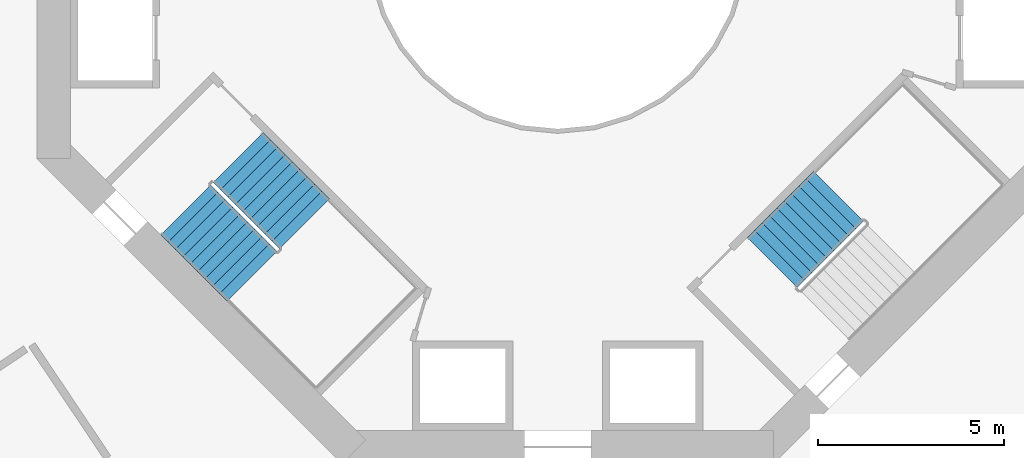
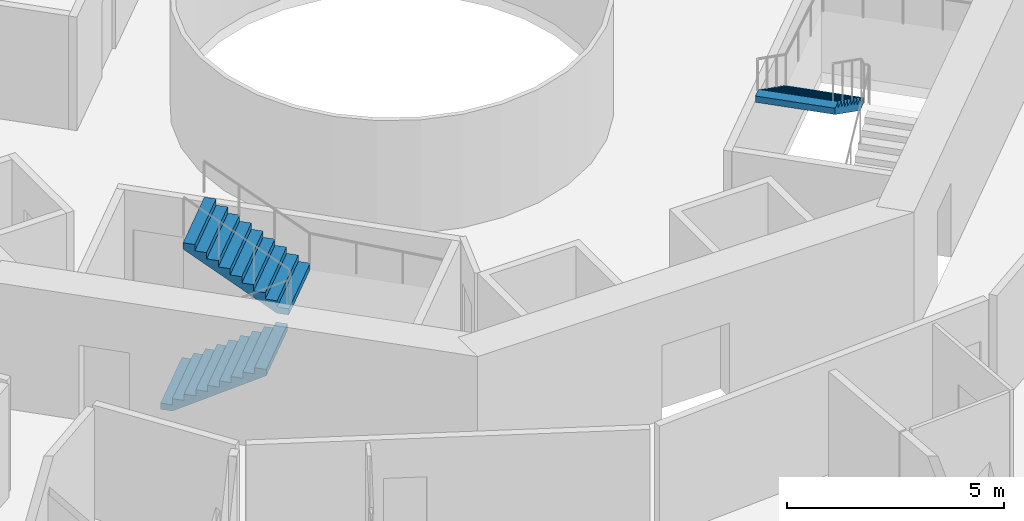
# One storey, part 23 of 25: 3 stair flights, 2 elements without a shape of their own.
"""IFC4 building model written with IfcOpenShell, lengths in metres."""

from ifc_helpers import new_model, si_unit, direction, frame, origin, place, context, subcontext, project, spatial, triangles, material, type_object, element, aggregate, save


model = new_model("IFC4")

# Units and contexts
model_context = context("Model", 3, precision=1e-05, world=origin(), true_north=direction((0.0, 1.0)))
body_context = subcontext(model_context, "Body", "Model", "MODEL_VIEW")
ifc_project = project(units=[si_unit("LENGTHUNIT", "METRE"), si_unit("AREAUNIT", "SQUARE_METRE"), si_unit("VOLUMEUNIT", "CUBIC_METRE"), si_unit("PLANEANGLEUNIT", "RADIAN"), si_unit("MASSUNIT", "GRAM", prefix="KILO")], contexts=[model_context])

# Site, building, storey
site_placement = place(None, origin())
site = spatial("IfcSite", under=ifc_project, at=site_placement, CompositionType="ELEMENT")
building_placement = place(site_placement, origin())
building = spatial("IfcBuilding", under=site, at=building_placement, Name="Verdalira Terraces Hotel", CompositionType="ELEMENT")
storey_placement = place(building_placement, frame((0.0, 0.0, 49.5)))
storey = spatial("IfcBuildingStorey", under=building, at=storey_placement, Name="L10", CompositionType="ELEMENT", Elevation=49.5)

# Stair, stair flights
ifc_material_1 = material(Name="Concrete C40", Category="concrete")
stair_type = type_object("IfcStairType", Name="Core stair 20 risers 1900 mm wide", PredefinedType="HALF_TURN_STAIR", material=ifc_material_1)
stair_1_placement = place(storey_placement, origin())
stair_1 = element("IfcStair", 1, at=stair_1_placement, inside=storey, type_object=stair_type, Name="L10 Exit stair ST2", PredefinedType="HALF_TURN_STAIR")
ifc_material_2 = material(Name="Concrete C40", Category="concrete")
stair_flight_type = type_object("IfcStairFlightType", Name="Core stair flight 20 risers 1900 mm wide", PredefinedType="STRAIGHT", material=ifc_material_2)
stair_flight_1_placement = place(storey_placement, frame((-10.005615, -7.177246, 0.0), z_axis=(0.0, 0.0, 1.0), x_axis=(0.707106781, -0.707106781, 0.0)))
stair_flight_1 = element("IfcStairFlight", 2, at=stair_flight_1_placement, type_object=stair_flight_type, Name="ST2 flight 1", NumberOfRisers=10, NumberOfTreads=9, PredefinedType="STRAIGHT", RiserHeight=0.175, TreadLength=0.28, context=body_context, shape_type="Tessellation", body=[
    triangles([(0.0, 0.949951, 0.0), (0.282715, 0.949951, 0.0), (2.52002, 0.949951, 1.398193), (0.0, -0.949951, 0.0), (0.282715, -0.949951, 0.0), (2.52002, -0.949951, 1.398193), (2.52002, 0.949951, 1.574951), (2.23999, 0.949951, 1.574951), (2.52002, -0.949951, 1.574951), (2.23999, -0.949951, 1.574951), (2.23999, 0.949951, 1.399902), (2.23999, -0.949951, 1.399902), (1.959961, 0.949951, 1.399902), (1.959961, -0.949951, 1.399902), (1.959961, 0.949951, 1.225098), (1.959961, -0.949951, 1.225098), (1.679932, 0.949951, 1.225098), (1.679932, 0.949951, 1.050049), (1.679932, -0.949951, 1.225098), (1.679932, -0.949951, 1.050049), (1.399902, 0.949951, 1.050049), (1.399902, 0.949951, 0.875), (1.399902, -0.949951, 1.050049), (1.399902, -0.949951, 0.875), (1.120117, 0.949951, 0.875), (1.120117, 0.949951, 0.699951), (1.120117, -0.949951, 0.875), (1.120117, -0.949951, 0.699951), (0.840088, 0.949951, 0.699951), (0.840088, 0.949951, 0.524902), (0.840088, -0.949951, 0.699951), (0.840088, -0.949951, 0.524902), (0.560059, 0.949951, 0.524902), (0.560059, 0.949951, 0.350098), (0.560059, -0.949951, 0.524902), (0.560059, -0.949951, 0.350098), (0.280029, 0.949951, 0.350098), (0.280029, 0.949951, 0.175049), (0.280029, -0.949951, 0.350098), (0.280029, -0.949951, 0.175049), (0.0, 0.949951, 0.175049), (0.0, -0.949951, 0.175049), (0.0, -0.890579, 0.0), (0.0, -0.890579, 0.175049), (0.0, -0.831207, 0.0), (0.0, -0.831207, 0.175049), (0.0, -0.771835, 0.0), (0.0, -0.771835, 0.175049), (0.0, -0.712463, 0.0), (0.0, -0.712463, 0.175049), (0.0, -0.653091, 0.0), (0.0, -0.653091, 0.175049), (0.0, -0.593719, 0.0), (0.0, -0.593719, 0.175049), (0.0, -0.534348, 0.0), (0.0, -0.534348, 0.175049), (0.0, -0.474976, 0.0), (0.0, -0.474976, 0.175049), (0.0, -0.415604, 0.0), (0.0, -0.415604, 0.175049), (0.0, -0.356232, 0.0), (0.0, -0.356232, 0.175049), (0.0, -0.29686, 0.0), (0.0, -0.29686, 0.175049), (0.0, -0.237488, 0.0), (0.0, -0.237488, 0.175049), (0.0, -0.178116, 0.0), (0.0, -0.178116, 0.175049), (0.0, -0.118744, 0.0), (0.0, -0.118744, 0.175049), (0.0, -0.059372, 0.0), (0.0, -0.059372, 0.175049), (0.0, 0.0, 0.0), (0.0, 0.0, 0.175049), (0.0, 0.059372, 0.0), (0.0, 0.059372, 0.175049), (0.0, 0.118744, 0.0), (0.0, 0.118744, 0.175049), (0.0, 0.178116, 0.0), (0.0, 0.178116, 0.175049), (0.0, 0.237488, 0.0), (0.0, 0.237488, 0.175049), (0.0, 0.29686, 0.0), (0.0, 0.29686, 0.175049), (0.0, 0.356232, 0.0), (0.0, 0.356232, 0.175049), (0.0, 0.415604, 0.0), (0.0, 0.415604, 0.175049), (0.0, 0.474976, 0.0), (0.0, 0.474976, 0.175049), (0.0, 0.534348, 0.0), (0.0, 0.534348, 0.175049), (0.0, 0.593719, 0.0), (0.0, 0.593719, 0.175049), (0.0, 0.653091, 0.0), (0.0, 0.653091, 0.175049), (0.0, 0.712463, 0.0), (0.0, 0.712463, 0.175049), (0.0, 0.771835, 0.0), (0.0, 0.771835, 0.175049), (0.0, 0.831207, 0.0), (0.0, 0.831207, 0.175049), (0.0, 0.890579, 0.0), (0.0, 0.890579, 0.175049), (2.52002, -0.890579, 1.574951), (2.52002, -0.831207, 1.574951), (2.52002, -0.771835, 1.574951), (2.52002, -0.712463, 1.574951), (2.52002, -0.653091, 1.574951), (2.52002, -0.593719, 1.574951), (2.52002, -0.534348, 1.574951), (2.52002, -0.474976, 1.574951), (2.52002, -0.415604, 1.574951), (2.52002, -0.356232, 1.574951), (2.52002, -0.29686, 1.574951), (2.52002, -0.237488, 1.574951), (2.52002, -0.178116, 1.574951), (2.52002, -0.118744, 1.574951), (2.52002, -0.059372, 1.574951), (2.52002, 0.0, 1.574951), (2.52002, 0.059372, 1.574951), (2.52002, 0.118744, 1.574951), (2.52002, 0.178116, 1.574951), (2.52002, 0.237488, 1.574951), (2.52002, 0.29686, 1.574951), (2.52002, 0.356232, 1.574951), (2.52002, 0.415604, 1.574951), (2.52002, 0.474976, 1.574951), (2.52002, 0.534348, 1.574951), (2.52002, 0.593719, 1.574951), (2.52002, 0.653091, 1.574951), (2.52002, 0.712463, 1.574951), (2.52002, 0.771835, 1.574951), (2.52002, 0.831207, 1.574951), (2.52002, 0.890579, 1.574951), (2.52002, -0.890579, 1.398193), (2.52002, -0.831207, 1.398193), (2.52002, -0.771835, 1.398193), (2.52002, -0.712463, 1.398193), (2.52002, -0.653091, 1.398193), (2.52002, -0.593719, 1.398193), (2.52002, -0.534348, 1.398193), (2.52002, -0.474976, 1.398193), (2.52002, -0.415604, 1.398193), (2.52002, -0.356232, 1.398193), (2.52002, -0.29686, 1.398193), (2.52002, -0.237488, 1.398193), (2.52002, -0.178116, 1.398193), (2.52002, -0.118744, 1.398193), (2.52002, -0.059372, 1.398193), (2.52002, 0.0, 1.398193), (2.52002, 0.059372, 1.398193), (2.52002, 0.118744, 1.398193), (2.52002, 0.178116, 1.398193), (2.52002, 0.237488, 1.398193), (2.52002, 0.29686, 1.398193), (2.52002, 0.356232, 1.398193), (2.52002, 0.415604, 1.398193), (2.52002, 0.474976, 1.398193), (2.52002, 0.534348, 1.398193), (2.52002, 0.593719, 1.398193), (2.52002, 0.653091, 1.398193), (2.52002, 0.712463, 1.398193), (2.52002, 0.771835, 1.398193), (2.52002, 0.831207, 1.398193), (2.52002, 0.890579, 1.398193)], [[1, 3, 2], [4, 5, 6], [3, 8, 7], [6, 9, 10], [3, 11, 8], [6, 10, 12], [3, 13, 11], [6, 12, 14], [3, 15, 13], [6, 14, 16], [15, 18, 17], [16, 19, 20], [3, 18, 15], [6, 16, 20], [18, 22, 21], [20, 23, 24], [3, 22, 18], [6, 20, 24], [22, 26, 25], [24, 27, 28], [3, 26, 22], [6, 24, 28], [26, 30, 29], [28, 31, 32], [3, 30, 26], [6, 28, 32], [1, 30, 3], [4, 6, 32], [30, 34, 33], [32, 35, 36], [34, 38, 37], [36, 39, 40], [30, 38, 34], [32, 36, 40], [1, 38, 30], [4, 32, 40], [38, 1, 41], [40, 42, 4], [4, 44, 43], [4, 42, 44], [43, 46, 45], [43, 44, 46], [45, 48, 47], [45, 46, 48], [47, 50, 49], [47, 48, 50], [49, 52, 51], [49, 50, 52], [51, 54, 53], [51, 52, 54], [53, 56, 55], [53, 54, 56], [55, 58, 57], [55, 56, 58], [57, 60, 59], [57, 58, 60], [59, 62, 61], [59, 60, 62], [61, 64, 63], [61, 62, 64], [63, 66, 65], [63, 64, 66], [65, 68, 67], [65, 66, 68], [67, 70, 69], [67, 68, 70], [69, 72, 71], [69, 70, 72], [71, 74, 73], [71, 72, 74], [73, 76, 75], [73, 74, 76], [75, 78, 77], [75, 76, 78], [77, 80, 79], [77, 78, 80], [79, 82, 81], [79, 80, 82], [81, 84, 83], [81, 82, 84], [83, 86, 85], [83, 84, 86], [85, 88, 87], [85, 86, 88], [87, 90, 89], [87, 88, 90], [89, 92, 91], [89, 90, 92], [91, 94, 93], [91, 92, 94], [93, 96, 95], [93, 94, 96], [95, 98, 97], [95, 96, 98], [97, 100, 99], [97, 98, 100], [99, 102, 101], [99, 100, 102], [101, 104, 103], [101, 102, 104], [103, 41, 1], [103, 104, 41], [42, 40, 44], [44, 40, 46], [46, 40, 48], [48, 40, 50], [50, 40, 52], [52, 40, 54], [54, 40, 56], [56, 40, 58], [58, 40, 60], [60, 40, 62], [62, 40, 64], [64, 40, 66], [66, 40, 68], [68, 40, 70], [70, 40, 72], [72, 40, 74], [74, 40, 76], [76, 40, 78], [78, 40, 80], [80, 40, 82], [82, 40, 84], [84, 40, 86], [86, 40, 88], [88, 40, 90], [90, 40, 92], [92, 40, 94], [94, 40, 96], [96, 40, 98], [98, 40, 100], [100, 40, 102], [102, 40, 104], [104, 40, 41], [41, 40, 38], [40, 37, 38], [40, 39, 37], [39, 34, 37], [39, 36, 34], [36, 33, 34], [36, 35, 33], [35, 30, 33], [35, 32, 30], [32, 29, 30], [32, 31, 29], [31, 26, 29], [31, 28, 26], [28, 25, 26], [28, 27, 25], [27, 22, 25], [27, 24, 22], [24, 21, 22], [24, 23, 21], [23, 18, 21], [23, 20, 18], [20, 17, 18], [20, 19, 17], [19, 15, 17], [19, 16, 15], [16, 13, 15], [16, 14, 13], [14, 11, 13], [14, 12, 11], [12, 8, 11], [12, 10, 8], [9, 105, 10], [105, 106, 10], [106, 107, 10], [107, 108, 10], [108, 109, 10], [109, 110, 10], [110, 111, 10], [111, 112, 10], [112, 113, 10], [113, 114, 10], [114, 115, 10], [115, 116, 10], [116, 117, 10], [117, 118, 10], [118, 119, 10], [119, 120, 10], [120, 121, 10], [121, 122, 10], [122, 123, 10], [123, 124, 10], [124, 125, 10], [125, 126, 10], [126, 127, 10], [127, 128, 10], [128, 129, 10], [129, 130, 10], [130, 131, 10], [131, 132, 10], [132, 133, 10], [133, 134, 10], [134, 135, 10], [135, 7, 10], [7, 8, 10], [9, 136, 105], [9, 6, 136], [105, 137, 106], [105, 136, 137], [106, 138, 107], [106, 137, 138], [107, 139, 108], [107, 138, 139], [108, 140, 109], [108, 139, 140], [109, 141, 110], [109, 140, 141], [110, 142, 111], [110, 141, 142], [111, 143, 112], [111, 142, 143], [112, 144, 113], [112, 143, 144], [113, 145, 114], [113, 144, 145], [114, 146, 115], [114, 145, 146], [115, 147, 116], [115, 146, 147], [116, 148, 117], [116, 147, 148], [117, 149, 118], [117, 148, 149], [118, 150, 119], [118, 149, 150], [119, 151, 120], [119, 150, 151], [120, 152, 121], [120, 151, 152], [121, 153, 122], [121, 152, 153], [122, 154, 123], [122, 153, 154], [123, 155, 124], [123, 154, 155], [124, 156, 125], [124, 155, 156], [125, 157, 126], [125, 156, 157], [126, 158, 127], [126, 157, 158], [127, 159, 128], [127, 158, 159], [128, 160, 129], [128, 159, 160], [129, 161, 130], [129, 160, 161], [130, 162, 131], [130, 161, 162], [131, 163, 132], [131, 162, 163], [132, 164, 133], [132, 163, 164], [133, 165, 134], [133, 164, 165], [134, 166, 135], [134, 165, 166], [135, 3, 7], [135, 166, 3], [6, 5, 136], [136, 5, 137], [137, 5, 138], [138, 5, 139], [139, 5, 140], [140, 5, 141], [141, 5, 142], [142, 5, 143], [143, 5, 144], [144, 5, 145], [145, 5, 146], [146, 5, 147], [147, 5, 148], [148, 5, 149], [149, 5, 150], [150, 5, 151], [151, 5, 152], [152, 5, 153], [153, 5, 154], [154, 5, 155], [155, 5, 156], [156, 5, 157], [157, 5, 158], [158, 5, 159], [159, 5, 160], [160, 5, 161], [161, 5, 162], [162, 5, 163], [163, 5, 164], [164, 5, 165], [165, 5, 166], [166, 5, 3], [3, 5, 2], [4, 43, 5], [43, 45, 5], [45, 47, 5], [47, 49, 5], [49, 51, 5], [51, 53, 5], [53, 55, 5], [55, 57, 5], [57, 59, 5], [59, 61, 5], [61, 63, 5], [63, 65, 5], [65, 67, 5], [67, 69, 5], [69, 71, 5], [71, 73, 5], [73, 75, 5], [75, 77, 5], [77, 79, 5], [79, 81, 5], [81, 83, 5], [83, 85, 5], [85, 87, 5], [87, 89, 5], [89, 91, 5], [91, 93, 5], [93, 95, 5], [95, 97, 5], [97, 99, 5], [99, 101, 5], [101, 103, 5], [103, 1, 5], [1, 2, 5]], closed=True),
])
stair_flight_2_placement = place(storey_placement, frame((-6.809326, -7.544922, 1.75), z_axis=(0.0, 0.0, 1.0), x_axis=(-0.707106781, 0.707106781, 0.0)))
stair_flight_2 = element("IfcStairFlight", 3, at=stair_flight_2_placement, type_object=stair_flight_type, Name="ST2 flight 2", NumberOfRisers=10, NumberOfTreads=9, PredefinedType="STRAIGHT", RiserHeight=0.175, TreadLength=0.28, context=body_context, shape_type="Tessellation", body=[
    triangles([(0.0, 0.949951, 0.0), (0.282715, 0.949951, 0.0), (2.52002, 0.949951, 1.398193), (0.0, -0.949951, 0.0), (0.282715, -0.949951, 0.0), (2.52002, -0.949951, 1.398193), (2.52002, 0.949951, 1.574951), (2.23999, 0.949951, 1.574951), (2.52002, -0.949951, 1.574951), (2.23999, -0.949951, 1.574951), (2.23999, 0.949951, 1.399902), (2.23999, -0.949951, 1.399902), (1.959961, 0.949951, 1.399902), (1.959961, -0.949951, 1.399902), (1.959961, 0.949951, 1.225098), (1.959961, -0.949951, 1.225098), (1.679932, 0.949951, 1.225098), (1.679932, 0.949951, 1.050049), (1.679932, -0.949951, 1.225098), (1.679932, -0.949951, 1.050049), (1.399902, 0.949951, 1.050049), (1.399902, 0.949951, 0.875), (1.399902, -0.949951, 1.050049), (1.399902, -0.949951, 0.875), (1.120117, 0.949951, 0.875), (1.120117, 0.949951, 0.699951), (1.120117, -0.949951, 0.875), (1.120117, -0.949951, 0.699951), (0.840088, 0.949951, 0.699951), (0.840088, 0.949951, 0.524902), (0.840088, -0.949951, 0.699951), (0.840088, -0.949951, 0.524902), (0.560059, 0.949951, 0.524902), (0.560059, 0.949951, 0.350098), (0.560059, -0.949951, 0.524902), (0.560059, -0.949951, 0.350098), (0.280029, 0.949951, 0.350098), (0.280029, 0.949951, 0.175049), (0.280029, -0.949951, 0.350098), (0.280029, -0.949951, 0.175049), (0.0, 0.949951, 0.175049), (0.0, -0.949951, 0.175049), (0.0, -0.890579, 0.0), (0.0, -0.890579, 0.175049), (0.0, -0.831207, 0.0), (0.0, -0.831207, 0.175049), (0.0, -0.771835, 0.0), (0.0, -0.771835, 0.175049), (0.0, -0.712463, 0.0), (0.0, -0.712463, 0.175049), (0.0, -0.653091, 0.0), (0.0, -0.653091, 0.175049), (0.0, -0.593719, 0.0), (0.0, -0.593719, 0.175049), (0.0, -0.534348, 0.0), (0.0, -0.534348, 0.175049), (0.0, -0.474976, 0.0), (0.0, -0.474976, 0.175049), (0.0, -0.415604, 0.0), (0.0, -0.415604, 0.175049), (0.0, -0.356232, 0.0), (0.0, -0.356232, 0.175049), (0.0, -0.29686, 0.0), (0.0, -0.29686, 0.175049), (0.0, -0.237488, 0.0), (0.0, -0.237488, 0.175049), (0.0, -0.178116, 0.0), (0.0, -0.178116, 0.175049), (0.0, -0.118744, 0.0), (0.0, -0.118744, 0.175049), (0.0, -0.059372, 0.0), (0.0, -0.059372, 0.175049), (0.0, 0.0, 0.0), (0.0, 0.0, 0.175049), (0.0, 0.059372, 0.0), (0.0, 0.059372, 0.175049), (0.0, 0.118744, 0.0), (0.0, 0.118744, 0.175049), (0.0, 0.178116, 0.0), (0.0, 0.178116, 0.175049), (0.0, 0.237488, 0.0), (0.0, 0.237488, 0.175049), (0.0, 0.29686, 0.0), (0.0, 0.29686, 0.175049), (0.0, 0.356232, 0.0), (0.0, 0.356232, 0.175049), (0.0, 0.415604, 0.0), (0.0, 0.415604, 0.175049), (0.0, 0.474976, 0.0), (0.0, 0.474976, 0.175049), (0.0, 0.534348, 0.0), (0.0, 0.534348, 0.175049), (0.0, 0.593719, 0.0), (0.0, 0.593719, 0.175049), (0.0, 0.653091, 0.0), (0.0, 0.653091, 0.175049), (0.0, 0.712463, 0.0), (0.0, 0.712463, 0.175049), (0.0, 0.771835, 0.0), (0.0, 0.771835, 0.175049), (0.0, 0.831207, 0.0), (0.0, 0.831207, 0.175049), (0.0, 0.890579, 0.0), (0.0, 0.890579, 0.175049), (2.52002, -0.890579, 1.574951), (2.52002, -0.831207, 1.574951), (2.52002, -0.771835, 1.574951), (2.52002, -0.712463, 1.574951), (2.52002, -0.653091, 1.574951), (2.52002, -0.593719, 1.574951), (2.52002, -0.534348, 1.574951), (2.52002, -0.474976, 1.574951), (2.52002, -0.415604, 1.574951), (2.52002, -0.356232, 1.574951), (2.52002, -0.29686, 1.574951), (2.52002, -0.237488, 1.574951), (2.52002, -0.178116, 1.574951), (2.52002, -0.118744, 1.574951), (2.52002, -0.059372, 1.574951), (2.52002, 0.0, 1.574951), (2.52002, 0.059372, 1.574951), (2.52002, 0.118744, 1.574951), (2.52002, 0.178116, 1.574951), (2.52002, 0.237488, 1.574951), (2.52002, 0.29686, 1.574951), (2.52002, 0.356232, 1.574951), (2.52002, 0.415604, 1.574951), (2.52002, 0.474976, 1.574951), (2.52002, 0.534348, 1.574951), (2.52002, 0.593719, 1.574951), (2.52002, 0.653091, 1.574951), (2.52002, 0.712463, 1.574951), (2.52002, 0.771835, 1.574951), (2.52002, 0.831207, 1.574951), (2.52002, 0.890579, 1.574951), (2.52002, -0.890579, 1.398193), (2.52002, -0.831207, 1.398193), (2.52002, -0.771835, 1.398193), (2.52002, -0.712463, 1.398193), (2.52002, -0.653091, 1.398193), (2.52002, -0.593719, 1.398193), (2.52002, -0.534348, 1.398193), (2.52002, -0.474976, 1.398193), (2.52002, -0.415604, 1.398193), (2.52002, -0.356232, 1.398193), (2.52002, -0.29686, 1.398193), (2.52002, -0.237488, 1.398193), (2.52002, -0.178116, 1.398193), (2.52002, -0.118744, 1.398193), (2.52002, -0.059372, 1.398193), (2.52002, 0.0, 1.398193), (2.52002, 0.059372, 1.398193), (2.52002, 0.118744, 1.398193), (2.52002, 0.178116, 1.398193), (2.52002, 0.237488, 1.398193), (2.52002, 0.29686, 1.398193), (2.52002, 0.356232, 1.398193), (2.52002, 0.415604, 1.398193), (2.52002, 0.474976, 1.398193), (2.52002, 0.534348, 1.398193), (2.52002, 0.593719, 1.398193), (2.52002, 0.653091, 1.398193), (2.52002, 0.712463, 1.398193), (2.52002, 0.771835, 1.398193), (2.52002, 0.831207, 1.398193), (2.52002, 0.890579, 1.398193)], [[1, 3, 2], [4, 5, 6], [3, 8, 7], [6, 9, 10], [3, 11, 8], [6, 10, 12], [3, 13, 11], [6, 12, 14], [3, 15, 13], [6, 14, 16], [15, 18, 17], [16, 19, 20], [3, 18, 15], [6, 16, 20], [18, 22, 21], [20, 23, 24], [3, 22, 18], [6, 20, 24], [22, 26, 25], [24, 27, 28], [3, 26, 22], [6, 24, 28], [26, 30, 29], [28, 31, 32], [3, 30, 26], [6, 28, 32], [1, 30, 3], [4, 6, 32], [30, 34, 33], [32, 35, 36], [34, 38, 37], [36, 39, 40], [30, 38, 34], [32, 36, 40], [1, 38, 30], [4, 32, 40], [38, 1, 41], [40, 42, 4], [4, 44, 43], [4, 42, 44], [43, 46, 45], [43, 44, 46], [45, 48, 47], [45, 46, 48], [47, 50, 49], [47, 48, 50], [49, 52, 51], [49, 50, 52], [51, 54, 53], [51, 52, 54], [53, 56, 55], [53, 54, 56], [55, 58, 57], [55, 56, 58], [57, 60, 59], [57, 58, 60], [59, 62, 61], [59, 60, 62], [61, 64, 63], [61, 62, 64], [63, 66, 65], [63, 64, 66], [65, 68, 67], [65, 66, 68], [67, 70, 69], [67, 68, 70], [69, 72, 71], [69, 70, 72], [71, 74, 73], [71, 72, 74], [73, 76, 75], [73, 74, 76], [75, 78, 77], [75, 76, 78], [77, 80, 79], [77, 78, 80], [79, 82, 81], [79, 80, 82], [81, 84, 83], [81, 82, 84], [83, 86, 85], [83, 84, 86], [85, 88, 87], [85, 86, 88], [87, 90, 89], [87, 88, 90], [89, 92, 91], [89, 90, 92], [91, 94, 93], [91, 92, 94], [93, 96, 95], [93, 94, 96], [95, 98, 97], [95, 96, 98], [97, 100, 99], [97, 98, 100], [99, 102, 101], [99, 100, 102], [101, 104, 103], [101, 102, 104], [103, 41, 1], [103, 104, 41], [42, 40, 44], [44, 40, 46], [46, 40, 48], [48, 40, 50], [50, 40, 52], [52, 40, 54], [54, 40, 56], [56, 40, 58], [58, 40, 60], [60, 40, 62], [62, 40, 64], [64, 40, 66], [66, 40, 68], [68, 40, 70], [70, 40, 72], [72, 40, 74], [74, 40, 76], [76, 40, 78], [78, 40, 80], [80, 40, 82], [82, 40, 84], [84, 40, 86], [86, 40, 88], [88, 40, 90], [90, 40, 92], [92, 40, 94], [94, 40, 96], [96, 40, 98], [98, 40, 100], [100, 40, 102], [102, 40, 104], [104, 40, 41], [41, 40, 38], [40, 37, 38], [40, 39, 37], [39, 34, 37], [39, 36, 34], [36, 33, 34], [36, 35, 33], [35, 30, 33], [35, 32, 30], [32, 29, 30], [32, 31, 29], [31, 26, 29], [31, 28, 26], [28, 25, 26], [28, 27, 25], [27, 22, 25], [27, 24, 22], [24, 21, 22], [24, 23, 21], [23, 18, 21], [23, 20, 18], [20, 17, 18], [20, 19, 17], [19, 15, 17], [19, 16, 15], [16, 13, 15], [16, 14, 13], [14, 11, 13], [14, 12, 11], [12, 8, 11], [12, 10, 8], [9, 105, 10], [105, 106, 10], [106, 107, 10], [107, 108, 10], [108, 109, 10], [109, 110, 10], [110, 111, 10], [111, 112, 10], [112, 113, 10], [113, 114, 10], [114, 115, 10], [115, 116, 10], [116, 117, 10], [117, 118, 10], [118, 119, 10], [119, 120, 10], [120, 121, 10], [121, 122, 10], [122, 123, 10], [123, 124, 10], [124, 125, 10], [125, 126, 10], [126, 127, 10], [127, 128, 10], [128, 129, 10], [129, 130, 10], [130, 131, 10], [131, 132, 10], [132, 133, 10], [133, 134, 10], [134, 135, 10], [135, 7, 10], [7, 8, 10], [9, 136, 105], [9, 6, 136], [105, 137, 106], [105, 136, 137], [106, 138, 107], [106, 137, 138], [107, 139, 108], [107, 138, 139], [108, 140, 109], [108, 139, 140], [109, 141, 110], [109, 140, 141], [110, 142, 111], [110, 141, 142], [111, 143, 112], [111, 142, 143], [112, 144, 113], [112, 143, 144], [113, 145, 114], [113, 144, 145], [114, 146, 115], [114, 145, 146], [115, 147, 116], [115, 146, 147], [116, 148, 117], [116, 147, 148], [117, 149, 118], [117, 148, 149], [118, 150, 119], [118, 149, 150], [119, 151, 120], [119, 150, 151], [120, 152, 121], [120, 151, 152], [121, 153, 122], [121, 152, 153], [122, 154, 123], [122, 153, 154], [123, 155, 124], [123, 154, 155], [124, 156, 125], [124, 155, 156], [125, 157, 126], [125, 156, 157], [126, 158, 127], [126, 157, 158], [127, 159, 128], [127, 158, 159], [128, 160, 129], [128, 159, 160], [129, 161, 130], [129, 160, 161], [130, 162, 131], [130, 161, 162], [131, 163, 132], [131, 162, 163], [132, 164, 133], [132, 163, 164], [133, 165, 134], [133, 164, 165], [134, 166, 135], [134, 165, 166], [135, 3, 7], [135, 166, 3], [6, 5, 136], [136, 5, 137], [137, 5, 138], [138, 5, 139], [139, 5, 140], [140, 5, 141], [141, 5, 142], [142, 5, 143], [143, 5, 144], [144, 5, 145], [145, 5, 146], [146, 5, 147], [147, 5, 148], [148, 5, 149], [149, 5, 150], [150, 5, 151], [151, 5, 152], [152, 5, 153], [153, 5, 154], [154, 5, 155], [155, 5, 156], [156, 5, 157], [157, 5, 158], [158, 5, 159], [159, 5, 160], [160, 5, 161], [161, 5, 162], [162, 5, 163], [163, 5, 164], [164, 5, 165], [165, 5, 166], [166, 5, 3], [3, 5, 2], [4, 43, 5], [43, 45, 5], [45, 47, 5], [47, 49, 5], [49, 51, 5], [51, 53, 5], [53, 55, 5], [55, 57, 5], [57, 59, 5], [59, 61, 5], [61, 63, 5], [63, 65, 5], [65, 67, 5], [67, 69, 5], [69, 71, 5], [71, 73, 5], [73, 75, 5], [75, 77, 5], [77, 79, 5], [79, 81, 5], [81, 83, 5], [83, 85, 5], [85, 87, 5], [87, 89, 5], [89, 91, 5], [91, 93, 5], [93, 95, 5], [95, 97, 5], [97, 99, 5], [99, 101, 5], [101, 103, 5], [103, 1, 5], [1, 2, 5]], closed=True),
])
aggregate(stair_1, [stair_flight_1, stair_flight_2])

# Stair, stair flight
stair_2_placement = place(storey_placement, origin())
stair_2 = element("IfcStair", 4, at=stair_2_placement, inside=storey, type_object=stair_type, Name="L10 Exit stair ST3", PredefinedType="HALF_TURN_STAIR")
stair_flight_3_placement = place(storey_placement, frame((7.544922, -6.809326, 1.75), z_axis=(0.0, 0.0, 1.0), x_axis=(-0.707106781, -0.707106781, 0.0)))
stair_flight_3 = element("IfcStairFlight", 5, at=stair_flight_3_placement, type_object=stair_flight_type, Name="ST3 flight 2", NumberOfRisers=10, NumberOfTreads=9, PredefinedType="STRAIGHT", RiserHeight=0.175, TreadLength=0.28, context=body_context, shape_type="Tessellation", body=[
    triangles([(0.0, 0.949951, 0.0), (0.282715, 0.949951, 0.0), (2.52002, 0.949951, 1.398193), (0.0, -0.949951, 0.0), (0.282715, -0.949951, 0.0), (2.52002, -0.949951, 1.398193), (2.52002, 0.949951, 1.574951), (2.23999, 0.949951, 1.574951), (2.52002, -0.949951, 1.574951), (2.23999, -0.949951, 1.574951), (2.23999, 0.949951, 1.399902), (2.23999, -0.949951, 1.399902), (1.959961, 0.949951, 1.399902), (1.959961, -0.949951, 1.399902), (1.959961, 0.949951, 1.225098), (1.959961, -0.949951, 1.225098), (1.679932, 0.949951, 1.225098), (1.679932, 0.949951, 1.050049), (1.679932, -0.949951, 1.225098), (1.679932, -0.949951, 1.050049), (1.399902, 0.949951, 1.050049), (1.399902, 0.949951, 0.875), (1.399902, -0.949951, 1.050049), (1.399902, -0.949951, 0.875), (1.120117, 0.949951, 0.875), (1.120117, 0.949951, 0.699951), (1.120117, -0.949951, 0.875), (1.120117, -0.949951, 0.699951), (0.840088, 0.949951, 0.699951), (0.840088, 0.949951, 0.524902), (0.840088, -0.949951, 0.699951), (0.840088, -0.949951, 0.524902), (0.560059, 0.949951, 0.524902), (0.560059, 0.949951, 0.350098), (0.560059, -0.949951, 0.524902), (0.560059, -0.949951, 0.350098), (0.280029, 0.949951, 0.350098), (0.280029, 0.949951, 0.175049), (0.280029, -0.949951, 0.350098), (0.280029, -0.949951, 0.175049), (0.0, 0.949951, 0.175049), (0.0, -0.949951, 0.175049), (0.0, -0.890579, 0.0), (0.0, -0.890579, 0.175049), (0.0, -0.831207, 0.0), (0.0, -0.831207, 0.175049), (0.0, -0.771835, 0.0), (0.0, -0.771835, 0.175049), (0.0, -0.712463, 0.0), (0.0, -0.712463, 0.175049), (0.0, -0.653091, 0.0), (0.0, -0.653091, 0.175049), (0.0, -0.593719, 0.0), (0.0, -0.593719, 0.175049), (0.0, -0.534348, 0.0), (0.0, -0.534348, 0.175049), (0.0, -0.474976, 0.0), (0.0, -0.474976, 0.175049), (0.0, -0.415604, 0.0), (0.0, -0.415604, 0.175049), (0.0, -0.356232, 0.0), (0.0, -0.356232, 0.175049), (0.0, -0.29686, 0.0), (0.0, -0.29686, 0.175049), (0.0, -0.237488, 0.0), (0.0, -0.237488, 0.175049), (0.0, -0.178116, 0.0), (0.0, -0.178116, 0.175049), (0.0, -0.118744, 0.0), (0.0, -0.118744, 0.175049), (0.0, -0.059372, 0.0), (0.0, -0.059372, 0.175049), (0.0, 0.0, 0.0), (0.0, 0.0, 0.175049), (0.0, 0.059372, 0.0), (0.0, 0.059372, 0.175049), (0.0, 0.118744, 0.0), (0.0, 0.118744, 0.175049), (0.0, 0.178116, 0.0), (0.0, 0.178116, 0.175049), (0.0, 0.237488, 0.0), (0.0, 0.237488, 0.175049), (0.0, 0.29686, 0.0), (0.0, 0.29686, 0.175049), (0.0, 0.356232, 0.0), (0.0, 0.356232, 0.175049), (0.0, 0.415604, 0.0), (0.0, 0.415604, 0.175049), (0.0, 0.474976, 0.0), (0.0, 0.474976, 0.175049), (0.0, 0.534348, 0.0), (0.0, 0.534348, 0.175049), (0.0, 0.593719, 0.0), (0.0, 0.593719, 0.175049), (0.0, 0.653091, 0.0), (0.0, 0.653091, 0.175049), (0.0, 0.712463, 0.0), (0.0, 0.712463, 0.175049), (0.0, 0.771835, 0.0), (0.0, 0.771835, 0.175049), (0.0, 0.831207, 0.0), (0.0, 0.831207, 0.175049), (0.0, 0.890579, 0.0), (0.0, 0.890579, 0.175049), (2.52002, -0.890579, 1.574951), (2.52002, -0.831207, 1.574951), (2.52002, -0.771835, 1.574951), (2.52002, -0.712463, 1.574951), (2.52002, -0.653091, 1.574951), (2.52002, -0.593719, 1.574951), (2.52002, -0.534348, 1.574951), (2.52002, -0.474976, 1.574951), (2.52002, -0.415604, 1.574951), (2.52002, -0.356232, 1.574951), (2.52002, -0.29686, 1.574951), (2.52002, -0.237488, 1.574951), (2.52002, -0.178116, 1.574951), (2.52002, -0.118744, 1.574951), (2.52002, -0.059372, 1.574951), (2.52002, 0.0, 1.574951), (2.52002, 0.059372, 1.574951), (2.52002, 0.118744, 1.574951), (2.52002, 0.178116, 1.574951), (2.52002, 0.237488, 1.574951), (2.52002, 0.29686, 1.574951), (2.52002, 0.356232, 1.574951), (2.52002, 0.415604, 1.574951), (2.52002, 0.474976, 1.574951), (2.52002, 0.534348, 1.574951), (2.52002, 0.593719, 1.574951), (2.52002, 0.653091, 1.574951), (2.52002, 0.712463, 1.574951), (2.52002, 0.771835, 1.574951), (2.52002, 0.831207, 1.574951), (2.52002, 0.890579, 1.574951), (2.52002, -0.890579, 1.398193), (2.52002, -0.831207, 1.398193), (2.52002, -0.771835, 1.398193), (2.52002, -0.712463, 1.398193), (2.52002, -0.653091, 1.398193), (2.52002, -0.593719, 1.398193), (2.52002, -0.534348, 1.398193), (2.52002, -0.474976, 1.398193), (2.52002, -0.415604, 1.398193), (2.52002, -0.356232, 1.398193), (2.52002, -0.29686, 1.398193), (2.52002, -0.237488, 1.398193), (2.52002, -0.178116, 1.398193), (2.52002, -0.118744, 1.398193), (2.52002, -0.059372, 1.398193), (2.52002, 0.0, 1.398193), (2.52002, 0.059372, 1.398193), (2.52002, 0.118744, 1.398193), (2.52002, 0.178116, 1.398193), (2.52002, 0.237488, 1.398193), (2.52002, 0.29686, 1.398193), (2.52002, 0.356232, 1.398193), (2.52002, 0.415604, 1.398193), (2.52002, 0.474976, 1.398193), (2.52002, 0.534348, 1.398193), (2.52002, 0.593719, 1.398193), (2.52002, 0.653091, 1.398193), (2.52002, 0.712463, 1.398193), (2.52002, 0.771835, 1.398193), (2.52002, 0.831207, 1.398193), (2.52002, 0.890579, 1.398193)], [[1, 3, 2], [4, 5, 6], [3, 8, 7], [6, 9, 10], [3, 11, 8], [6, 10, 12], [3, 13, 11], [6, 12, 14], [3, 15, 13], [6, 14, 16], [15, 18, 17], [16, 19, 20], [3, 18, 15], [6, 16, 20], [18, 22, 21], [20, 23, 24], [3, 22, 18], [6, 20, 24], [22, 26, 25], [24, 27, 28], [3, 26, 22], [6, 24, 28], [26, 30, 29], [28, 31, 32], [3, 30, 26], [6, 28, 32], [1, 30, 3], [4, 6, 32], [30, 34, 33], [32, 35, 36], [34, 38, 37], [36, 39, 40], [30, 38, 34], [32, 36, 40], [1, 38, 30], [4, 32, 40], [38, 1, 41], [40, 42, 4], [4, 44, 43], [4, 42, 44], [43, 46, 45], [43, 44, 46], [45, 48, 47], [45, 46, 48], [47, 50, 49], [47, 48, 50], [49, 52, 51], [49, 50, 52], [51, 54, 53], [51, 52, 54], [53, 56, 55], [53, 54, 56], [55, 58, 57], [55, 56, 58], [57, 60, 59], [57, 58, 60], [59, 62, 61], [59, 60, 62], [61, 64, 63], [61, 62, 64], [63, 66, 65], [63, 64, 66], [65, 68, 67], [65, 66, 68], [67, 70, 69], [67, 68, 70], [69, 72, 71], [69, 70, 72], [71, 74, 73], [71, 72, 74], [73, 76, 75], [73, 74, 76], [75, 78, 77], [75, 76, 78], [77, 80, 79], [77, 78, 80], [79, 82, 81], [79, 80, 82], [81, 84, 83], [81, 82, 84], [83, 86, 85], [83, 84, 86], [85, 88, 87], [85, 86, 88], [87, 90, 89], [87, 88, 90], [89, 92, 91], [89, 90, 92], [91, 94, 93], [91, 92, 94], [93, 96, 95], [93, 94, 96], [95, 98, 97], [95, 96, 98], [97, 100, 99], [97, 98, 100], [99, 102, 101], [99, 100, 102], [101, 104, 103], [101, 102, 104], [103, 41, 1], [103, 104, 41], [42, 40, 44], [44, 40, 46], [46, 40, 48], [48, 40, 50], [50, 40, 52], [52, 40, 54], [54, 40, 56], [56, 40, 58], [58, 40, 60], [60, 40, 62], [62, 40, 64], [64, 40, 66], [66, 40, 68], [68, 40, 70], [70, 40, 72], [72, 40, 74], [74, 40, 76], [76, 40, 78], [78, 40, 80], [80, 40, 82], [82, 40, 84], [84, 40, 86], [86, 40, 88], [88, 40, 90], [90, 40, 92], [92, 40, 94], [94, 40, 96], [96, 40, 98], [98, 40, 100], [100, 40, 102], [102, 40, 104], [104, 40, 41], [41, 40, 38], [40, 37, 38], [40, 39, 37], [39, 34, 37], [39, 36, 34], [36, 33, 34], [36, 35, 33], [35, 30, 33], [35, 32, 30], [32, 29, 30], [32, 31, 29], [31, 26, 29], [31, 28, 26], [28, 25, 26], [28, 27, 25], [27, 22, 25], [27, 24, 22], [24, 21, 22], [24, 23, 21], [23, 18, 21], [23, 20, 18], [20, 17, 18], [20, 19, 17], [19, 15, 17], [19, 16, 15], [16, 13, 15], [16, 14, 13], [14, 11, 13], [14, 12, 11], [12, 8, 11], [12, 10, 8], [9, 105, 10], [105, 106, 10], [106, 107, 10], [107, 108, 10], [108, 109, 10], [109, 110, 10], [110, 111, 10], [111, 112, 10], [112, 113, 10], [113, 114, 10], [114, 115, 10], [115, 116, 10], [116, 117, 10], [117, 118, 10], [118, 119, 10], [119, 120, 10], [120, 121, 10], [121, 122, 10], [122, 123, 10], [123, 124, 10], [124, 125, 10], [125, 126, 10], [126, 127, 10], [127, 128, 10], [128, 129, 10], [129, 130, 10], [130, 131, 10], [131, 132, 10], [132, 133, 10], [133, 134, 10], [134, 135, 10], [135, 7, 10], [7, 8, 10], [9, 136, 105], [9, 6, 136], [105, 137, 106], [105, 136, 137], [106, 138, 107], [106, 137, 138], [107, 139, 108], [107, 138, 139], [108, 140, 109], [108, 139, 140], [109, 141, 110], [109, 140, 141], [110, 142, 111], [110, 141, 142], [111, 143, 112], [111, 142, 143], [112, 144, 113], [112, 143, 144], [113, 145, 114], [113, 144, 145], [114, 146, 115], [114, 145, 146], [115, 147, 116], [115, 146, 147], [116, 148, 117], [116, 147, 148], [117, 149, 118], [117, 148, 149], [118, 150, 119], [118, 149, 150], [119, 151, 120], [119, 150, 151], [120, 152, 121], [120, 151, 152], [121, 153, 122], [121, 152, 153], [122, 154, 123], [122, 153, 154], [123, 155, 124], [123, 154, 155], [124, 156, 125], [124, 155, 156], [125, 157, 126], [125, 156, 157], [126, 158, 127], [126, 157, 158], [127, 159, 128], [127, 158, 159], [128, 160, 129], [128, 159, 160], [129, 161, 130], [129, 160, 161], [130, 162, 131], [130, 161, 162], [131, 163, 132], [131, 162, 163], [132, 164, 133], [132, 163, 164], [133, 165, 134], [133, 164, 165], [134, 166, 135], [134, 165, 166], [135, 3, 7], [135, 166, 3], [6, 5, 136], [136, 5, 137], [137, 5, 138], [138, 5, 139], [139, 5, 140], [140, 5, 141], [141, 5, 142], [142, 5, 143], [143, 5, 144], [144, 5, 145], [145, 5, 146], [146, 5, 147], [147, 5, 148], [148, 5, 149], [149, 5, 150], [150, 5, 151], [151, 5, 152], [152, 5, 153], [153, 5, 154], [154, 5, 155], [155, 5, 156], [156, 5, 157], [157, 5, 158], [158, 5, 159], [159, 5, 160], [160, 5, 161], [161, 5, 162], [162, 5, 163], [163, 5, 164], [164, 5, 165], [165, 5, 166], [166, 5, 3], [3, 5, 2], [4, 43, 5], [43, 45, 5], [45, 47, 5], [47, 49, 5], [49, 51, 5], [51, 53, 5], [53, 55, 5], [55, 57, 5], [57, 59, 5], [59, 61, 5], [61, 63, 5], [63, 65, 5], [65, 67, 5], [67, 69, 5], [69, 71, 5], [71, 73, 5], [73, 75, 5], [75, 77, 5], [77, 79, 5], [79, 81, 5], [81, 83, 5], [83, 85, 5], [85, 87, 5], [87, 89, 5], [89, 91, 5], [91, 93, 5], [93, 95, 5], [95, 97, 5], [97, 99, 5], [99, 101, 5], [101, 103, 5], [103, 1, 5], [1, 2, 5]], closed=True),
])
aggregate(stair_2, [stair_flight_3])

save(model, "model.ifc")
